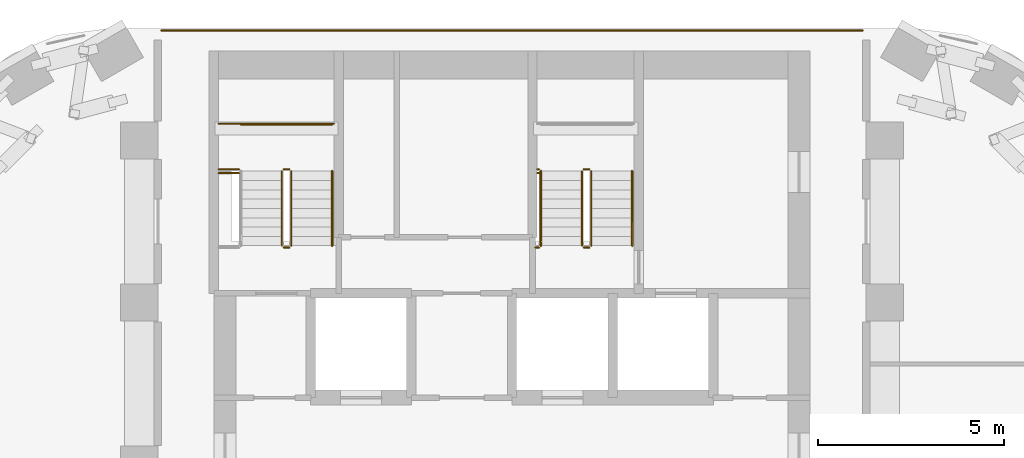
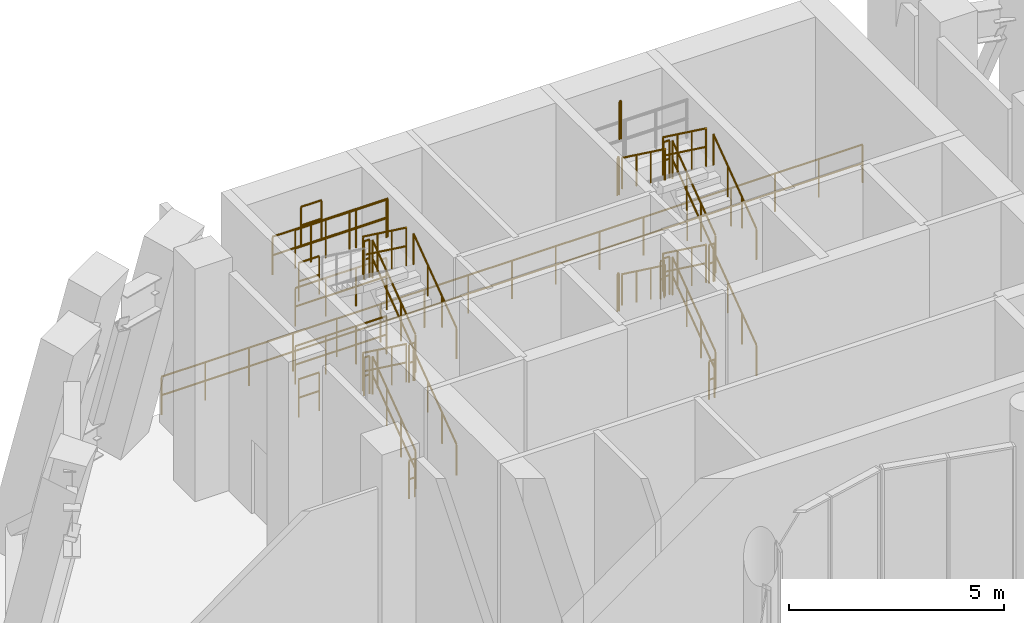
# One storey, part 18 of 19: 34 railings.
"""IFC4 building model written with IfcOpenShell, lengths in metres."""

from ifc_helpers import new_model, si_unit, direction, frame, origin, origin_2d, place, context, subcontext, project, spatial, circle, extrude, material, type_object, element, save


model = new_model("IFC4")

# Units and contexts
model_context = context("Model", 3, precision=1e-05, world=origin(), true_north=direction((0.0, 1.0)))
body_context = subcontext(model_context, "Body", "Model", "MODEL_VIEW")
ifc_project = project(units=[si_unit("LENGTHUNIT", "METRE"), si_unit("AREAUNIT", "SQUARE_METRE"), si_unit("VOLUMEUNIT", "CUBIC_METRE"), si_unit("PLANEANGLEUNIT", "RADIAN"), si_unit("MASSUNIT", "GRAM", prefix="KILO")], contexts=[model_context])

# Site, building, storey
site_placement = place(None, origin())
site = spatial("IfcSite", under=ifc_project, at=site_placement, CompositionType="ELEMENT")
building_placement = place(site_placement, origin())
building = spatial("IfcBuilding", under=site, at=building_placement, Name="Nakaniwa Court", CompositionType="ELEMENT")
storey_placement = place(building_placement, frame((0.0, 0.0, 170.10009765625)))
storey = spatial("IfcBuildingStorey", under=building, at=storey_placement, Name="S3", CompositionType="ELEMENT", Elevation=170.10009765625)

# Railings
ifc_material_1 = material(Name="Black powder-coated steel flat bar balustrade S275", Category="steel")
railing_type_1 = type_object("IfcRailingType", Name="Black metal terrace guard 1100", PredefinedType="GUARDRAIL", material=ifc_material_1)
railing_1_placement = place(storey_placement, frame((89.408203125, 103.949951171875, 0.0)))
element("IfcRailing", 1, at=railing_1_placement, inside=storey, type_object=railing_type_1, Name="S3 refuge band guard 08", PredefinedType="GUARDRAIL", context=body_context, shape_type="SweptSolid", body=[
    extrude(circle(Radius=0.02392578125, at=origin_2d()), frame((0.0, 0.0, 1.076171875), z_axis=(-1.0, 0.0, 0.0), x_axis=(0.0, -1.0, 0.0)), (0.0, 0.0, 1.0), 18.81640625),
    extrude(circle(Radius=0.02392578125, at=origin_2d()), frame((0.0, 0.0, 0.550048828125), z_axis=(-1.0, 0.0, 0.0), x_axis=(0.0, -1.0, 0.0)), (0.0, 0.0, 1.0), 18.81640625),
    extrude(circle(Radius=0.02099609375, at=origin_2d()), origin(), (0.0, 0.0, 1.0), 1.052001953125),
    extrude(circle(Radius=0.02099609375, at=origin_2d()), frame((-1.176025390625, 0.0, 0.0)), (0.0, 0.0, 1.0), 1.052001953125),
    extrude(circle(Radius=0.02099609375, at=origin_2d()), frame((-2.35205078125, 0.0, 0.0)), (0.0, 0.0, 1.0), 1.052001953125),
    extrude(circle(Radius=0.02099609375, at=origin_2d()), frame((-3.528076171875, 0.0, 0.0)), (0.0, 0.0, 1.0), 1.052001953125),
    extrude(circle(Radius=0.02099609375, at=origin_2d()), frame((-4.7041015625, 0.0, 0.0)), (0.0, 0.0, 1.0), 1.052001953125),
    extrude(circle(Radius=0.02099609375, at=origin_2d()), frame((-5.880126953125, 0.0, 0.0)), (0.0, 0.0, 1.0), 1.052001953125),
    extrude(circle(Radius=0.02099609375, at=origin_2d()), frame((-7.05615234375, 0.0, 0.0)), (0.0, 0.0, 1.0), 1.052001953125),
    extrude(circle(Radius=0.02099609375, at=origin_2d()), frame((-8.232177734375, 0.0, 0.0)), (0.0, 0.0, 1.0), 1.052001953125),
    extrude(circle(Radius=0.02099609375, at=origin_2d()), frame((-9.408203125, 0.0, 0.0)), (0.0, 0.0, 1.0), 1.052001953125),
    extrude(circle(Radius=0.02099609375, at=origin_2d()), frame((-10.584228515625, 0.0, 0.0)), (0.0, 0.0, 1.0), 1.052001953125),
    extrude(circle(Radius=0.02099609375, at=origin_2d()), frame((-11.76025390625, 0.0, 0.0)), (0.0, 0.0, 1.0), 1.052001953125),
    extrude(circle(Radius=0.02099609375, at=origin_2d()), frame((-12.936279296875, 0.0, 0.0)), (0.0, 0.0, 1.0), 1.052001953125),
    extrude(circle(Radius=0.02099609375, at=origin_2d()), frame((-14.1123046875, 0.0, 0.0)), (0.0, 0.0, 1.0), 1.052001953125),
    extrude(circle(Radius=0.02099609375, at=origin_2d()), frame((-15.288330078125, 0.0, 0.0)), (0.0, 0.0, 1.0), 1.052001953125),
    extrude(circle(Radius=0.02099609375, at=origin_2d()), frame((-16.46435546875, 0.0, 0.0)), (0.0, 0.0, 1.0), 1.052001953125),
    extrude(circle(Radius=0.02099609375, at=origin_2d()), frame((-17.640380859375, 0.0, 0.0)), (0.0, 0.0, 1.0), 1.052001953125),
    extrude(circle(Radius=0.02099609375, at=origin_2d()), frame((-18.81640625, 0.0, 0.0)), (0.0, 0.0, 1.0), 1.052001953125),
])
ifc_material_2 = material(Name="Black powder coated steel guard", Category="steel")
railing_type_2 = type_object("IfcRailingType", Name="Stair guard 1100", PredefinedType="GUARDRAIL", material=ifc_material_2)
railing_2_placement = place(storey_placement, frame((74.074951171875, 98.175048828125, 0.183349609375)))
element("IfcRailing", 2, at=railing_2_placement, inside=storey, type_object=railing_type_2, Name="S3 ST1 stair guard 1", PredefinedType="GUARDRAIL", context=body_context, shape_type="SweptSolid", body=[
    extrude(circle(Radius=0.02392578125, at=origin_2d()), frame((0.0, 0.0, 1.076171875), z_axis=(0.0, 0.806426902644, 0.591333789573), x_axis=(-1.0, 0.0, 0.0)), (0.0, 0.0, 1.0), 2.47998046875),
    extrude(circle(Radius=0.02392578125, at=origin_2d()), frame((0.0, 0.0, 0.550048828125), z_axis=(0.0, 0.806426902644, 0.591333789573), x_axis=(-1.0, 0.0, 0.0)), (0.0, 0.0, 1.0), 2.47998046875),
    extrude(circle(Radius=0.02099609375, at=origin_2d()), origin(), (0.0, 0.0, 1.0), 1.052001953125),
    extrude(circle(Radius=0.02099609375, at=origin_2d()), frame((0.0, 0.666748046875, 0.48876953125)), (0.0, 0.0, 1.0), 1.052001953125),
    extrude(circle(Radius=0.02099609375, at=origin_2d()), frame((0.0, 1.333251953125, 0.977783203125)), (0.0, 0.0, 1.0), 1.052001953125),
    extrude(circle(Radius=0.02099609375, at=origin_2d()), frame((0.0, 2.0, 1.466552734375)), (0.0, 0.0, 1.0), 1.052001953125),
])
railing_3_placement = place(storey_placement, frame((74.02490234375, 100.22509765625, 1.64990234375)))
element("IfcRailing", 3, at=railing_3_placement, inside=storey, type_object=railing_type_2, Name="S3 ST1 stair guard 2", PredefinedType="GUARDRAIL", context=body_context, shape_type="SweptSolid", body=[
    extrude(circle(Radius=0.02392578125, at=origin_2d()), frame((0.0, 0.0, 1.076171875), z_axis=(-1.0, 0.0, 0.0), x_axis=(0.0, -1.0, 0.0)), (0.0, 0.0, 1.0), 0.14990234375),
    extrude(circle(Radius=0.02392578125, at=origin_2d()), frame((0.0, 0.0, 0.550048828125), z_axis=(-1.0, 0.0, 0.0), x_axis=(0.0, -1.0, 0.0)), (0.0, 0.0, 1.0), 0.14990234375),
    extrude(circle(Radius=0.02099609375, at=origin_2d()), origin(), (0.0, 0.0, 1.0), 1.052001953125),
    extrude(circle(Radius=0.02099609375, at=origin_2d()), frame((-0.14990234375, 0.0, 0.0)), (0.0, 0.0, 1.0), 1.052001953125),
])
railing_4_placement = place(storey_placement, frame((73.824951171875, 100.175048828125, 1.833251953125)))
element("IfcRailing", 4, at=railing_4_placement, inside=storey, type_object=railing_type_2, Name="S3 ST1 stair guard 3", PredefinedType="GUARDRAIL", context=body_context, shape_type="SweptSolid", body=[
    extrude(circle(Radius=0.02392578125, at=origin_2d()), frame((0.0, 0.0, 1.076171875), z_axis=(0.0, -0.806426902644, 0.591333789573), x_axis=(1.0, 0.0, 0.0)), (0.0, 0.0, 1.0), 2.47998046875),
    extrude(circle(Radius=0.02392578125, at=origin_2d()), frame((0.0, 0.0, 0.550048828125), z_axis=(0.0, -0.806426902644, 0.591333789573), x_axis=(1.0, 0.0, 0.0)), (0.0, 0.0, 1.0), 2.47998046875),
    extrude(circle(Radius=0.02099609375, at=origin_2d()), origin(), (0.0, 0.0, 1.0), 1.052001953125),
    extrude(circle(Radius=0.02099609375, at=origin_2d()), frame((0.0, -0.666748046875, 0.48876953125)), (0.0, 0.0, 1.0), 1.052001953125),
    extrude(circle(Radius=0.02099609375, at=origin_2d()), frame((0.0, -1.333251953125, 0.977783203125)), (0.0, 0.0, 1.0), 1.052001953125),
    extrude(circle(Radius=0.02099609375, at=origin_2d()), frame((0.0, -2.0, 1.466552734375)), (0.0, 0.0, 1.0), 1.052001953125),
])
railing_5_placement = place(storey_placement, frame((74.02490234375, 98.125, 3.2998046875)))
element("IfcRailing", 5, at=railing_5_placement, inside=storey, type_object=railing_type_2, Name="S3 ST1 stair guard 4", PredefinedType="GUARDRAIL", context=body_context, shape_type="SweptSolid", body=[
    extrude(circle(Radius=0.02392578125, at=origin_2d()), frame((0.0, 0.0, 1.076171875), z_axis=(-1.0, 0.0, 0.0), x_axis=(0.0, -1.0, 0.0)), (0.0, 0.0, 1.0), 0.14990234375),
    extrude(circle(Radius=0.02392578125, at=origin_2d()), frame((0.0, 0.0, 0.550048828125), z_axis=(-1.0, 0.0, 0.0), x_axis=(0.0, -1.0, 0.0)), (0.0, 0.0, 1.0), 0.14990234375),
    extrude(circle(Radius=0.02099609375, at=origin_2d()), origin(), (0.0, 0.0, 1.0), 1.052001953125),
    extrude(circle(Radius=0.02099609375, at=origin_2d()), frame((-0.14990234375, 0.0, 0.0)), (0.0, 0.0, 1.0), 1.052001953125),
])
railing_6_placement = place(storey_placement, frame((74.074951171875, 98.175048828125, 3.483154296875)))
element("IfcRailing", 6, at=railing_6_placement, inside=storey, type_object=railing_type_2, Name="S3 ST1 stair guard 5", PredefinedType="GUARDRAIL", context=body_context, shape_type="SweptSolid", body=[
    extrude(circle(Radius=0.02392578125, at=origin_2d()), frame((0.0, 0.0, 1.076171875), z_axis=(0.0, 0.806379959628, 0.591397802423), x_axis=(-1.0, 0.0, 0.0)), (0.0, 0.0, 1.0), 2.480224609375),
    extrude(circle(Radius=0.02392578125, at=origin_2d()), frame((0.0, 0.0, 0.550048828125), z_axis=(0.0, 0.806379959628, 0.591397802423), x_axis=(-1.0, 0.0, 0.0)), (0.0, 0.0, 1.0), 2.480224609375),
    extrude(circle(Radius=0.02099609375, at=origin_2d()), origin(), (0.0, 0.0, 1.0), 1.052001953125),
    extrude(circle(Radius=0.02099609375, at=origin_2d()), frame((0.0, 0.666748046875, 0.489013671875)), (0.0, 0.0, 1.0), 1.052001953125),
    extrude(circle(Radius=0.02099609375, at=origin_2d()), frame((0.0, 1.333251953125, 0.977783203125)), (0.0, 0.0, 1.0), 1.052001953125),
    extrude(circle(Radius=0.02099609375, at=origin_2d()), frame((0.0, 2.0, 1.466796875)), (0.0, 0.0, 1.0), 1.052001953125),
])
railing_7_placement = place(storey_placement, frame((74.02490234375, 100.22509765625, 4.949951171875)))
element("IfcRailing", 7, at=railing_7_placement, inside=storey, type_object=railing_type_2, Name="S3 ST1 stair guard 6", PredefinedType="GUARDRAIL", context=body_context, shape_type="SweptSolid", body=[
    extrude(circle(Radius=0.02392578125, at=origin_2d()), frame((0.0, 0.0, 1.076171875), z_axis=(-1.0, 0.0, 0.0), x_axis=(0.0, -1.0, 0.0)), (0.0, 0.0, 1.0), 0.14990234375),
    extrude(circle(Radius=0.02392578125, at=origin_2d()), frame((0.0, 0.0, 0.550048828125), z_axis=(-1.0, 0.0, 0.0), x_axis=(0.0, -1.0, 0.0)), (0.0, 0.0, 1.0), 0.14990234375),
    extrude(circle(Radius=0.02099609375, at=origin_2d()), origin(), (0.0, 0.0, 1.0), 1.052001953125),
    extrude(circle(Radius=0.02099609375, at=origin_2d()), frame((-0.14990234375, 0.0, 0.0)), (0.0, 0.0, 1.0), 1.052001953125),
])
railing_8_placement = place(storey_placement, frame((73.824951171875, 100.175048828125, 5.13330078125)))
element("IfcRailing", 8, at=railing_8_placement, inside=storey, type_object=railing_type_2, Name="S3 ST1 stair guard 7", PredefinedType="GUARDRAIL", context=body_context, shape_type="SweptSolid", body=[
    extrude(circle(Radius=0.02392578125, at=origin_2d()), frame((0.0, 0.0, 1.076171875), z_axis=(0.0, -0.806426902644, 0.591333789573), x_axis=(1.0, 0.0, 0.0)), (0.0, 0.0, 1.0), 2.47998046875),
    extrude(circle(Radius=0.02392578125, at=origin_2d()), frame((0.0, 0.0, 0.550048828125), z_axis=(0.0, -0.806426902644, 0.591333789573), x_axis=(1.0, 0.0, 0.0)), (0.0, 0.0, 1.0), 2.47998046875),
    extrude(circle(Radius=0.02099609375, at=origin_2d()), origin(), (0.0, 0.0, 1.0), 1.052001953125),
    extrude(circle(Radius=0.02099609375, at=origin_2d()), frame((0.0, -0.666748046875, 0.48876953125)), (0.0, 0.0, 1.0), 1.052001953125),
    extrude(circle(Radius=0.02099609375, at=origin_2d()), frame((0.0, -1.333251953125, 0.977783203125)), (0.0, 0.0, 1.0), 1.052001953125),
    extrude(circle(Radius=0.02099609375, at=origin_2d()), frame((0.0, -2.0, 1.466552734375)), (0.0, 0.0, 1.0), 1.052001953125),
])
railing_9_placement = place(storey_placement, frame((74.02490234375, 98.125, 0.0)))
element("IfcRailing", 9, at=railing_9_placement, inside=storey, type_object=railing_type_2, Name="S3 ST1 stair guard 8", PredefinedType="GUARDRAIL", context=body_context, shape_type="SweptSolid", body=[
    extrude(circle(Radius=0.02392578125, at=origin_2d()), frame((0.0, 0.0, 1.076171875), z_axis=(-1.0, 0.0, 0.0), x_axis=(0.0, -1.0, 0.0)), (0.0, 0.0, 1.0), 0.14990234375),
    extrude(circle(Radius=0.02392578125, at=origin_2d()), frame((0.0, 0.0, 0.550048828125), z_axis=(-1.0, 0.0, 0.0), x_axis=(0.0, -1.0, 0.0)), (0.0, 0.0, 1.0), 0.14990234375),
    extrude(circle(Radius=0.02099609375, at=origin_2d()), origin(), (0.0, 0.0, 1.0), 1.052001953125),
    extrude(circle(Radius=0.02099609375, at=origin_2d()), frame((-0.14990234375, 0.0, 0.0)), (0.0, 0.0, 1.0), 1.052001953125),
])
railing_10_placement = place(storey_placement, frame((72.125, 100.22509765625, 1.64990234375)))
element("IfcRailing", 10, at=railing_10_placement, inside=storey, type_object=railing_type_2, Name="S3 ST1 landing side guard 1W", PredefinedType="GUARDRAIL", context=body_context, shape_type="SweptSolid", body=[
    extrude(circle(Radius=0.02392578125, at=origin_2d()), frame((0.0, 0.0, 1.076171875), z_axis=(1.0, 0.0, 0.0), x_axis=(0.0, 1.0, 0.0)), (0.0, 0.0, 1.0), 0.550048828125),
    extrude(circle(Radius=0.02392578125, at=origin_2d()), frame((0.0, 0.0, 0.550048828125), z_axis=(1.0, 0.0, 0.0), x_axis=(0.0, 1.0, 0.0)), (0.0, 0.0, 1.0), 0.550048828125),
    extrude(circle(Radius=0.02099609375, at=origin_2d()), origin(), (0.0, 0.0, 1.0), 1.052001953125),
    extrude(circle(Radius=0.02099609375, at=origin_2d()), frame((0.550048828125, 0.0, 0.0)), (0.0, 0.0, 1.0), 1.052001953125),
])
railing_11_placement = place(storey_placement, frame((72.125, 101.449951171875, 4.949951171875)))
element("IfcRailing", 11, at=railing_11_placement, inside=storey, type_object=railing_type_2, Name="S3 ST1 landing end guard 3", PredefinedType="GUARDRAIL", context=body_context, shape_type="SweptSolid", body=[
    extrude(circle(Radius=0.02392578125, at=origin_2d()), frame((0.0, 0.0, 1.076171875), z_axis=(1.0, 0.0, 0.0), x_axis=(0.0, 1.0, 0.0)), (0.0, 0.0, 1.0), 3.10009765625),
    extrude(circle(Radius=0.02392578125, at=origin_2d()), frame((0.0, 0.0, 0.550048828125), z_axis=(1.0, 0.0, 0.0), x_axis=(0.0, 1.0, 0.0)), (0.0, 0.0, 1.0), 3.10009765625),
    extrude(circle(Radius=0.02099609375, at=origin_2d()), origin(), (0.0, 0.0, 1.0), 1.052001953125),
    extrude(circle(Radius=0.02099609375, at=origin_2d()), frame((1.033447265625, 0.0, 0.0)), (0.0, 0.0, 1.0), 1.052001953125),
    extrude(circle(Radius=0.02099609375, at=origin_2d()), frame((2.066650390625, 0.0, 0.0)), (0.0, 0.0, 1.0), 1.052001953125),
    extrude(circle(Radius=0.02099609375, at=origin_2d()), frame((3.10009765625, 0.0, 0.0)), (0.0, 0.0, 1.0), 1.052001953125),
])
for number, where, name in (
    (12, (72.125, 100.22509765625, 4.949951171875), "S3 ST1 landing side guard 3W"),
    (13, (72.125, 100.125, 6.599853515625), "S3 ST1 floor edge guard 3W"),
):
    element("IfcRailing", number, at=place(storey_placement, frame(where)), inside=storey, type_object=railing_type_2, Name=name, PredefinedType="GUARDRAIL", context=body_context, shape_type="SweptSolid", body=[
        extrude(circle(Radius=0.02392578125, at=origin_2d()), frame((0.0, 0.0, 1.076171875), z_axis=(1.0, 0.0, 0.0), x_axis=(0.0, 1.0, 0.0)), (0.0, 0.0, 1.0), 0.550048828125),
        extrude(circle(Radius=0.02392578125, at=origin_2d()), frame((0.0, 0.0, 0.550048828125), z_axis=(1.0, 0.0, 0.0), x_axis=(0.0, 1.0, 0.0)), (0.0, 0.0, 1.0), 0.550048828125),
        extrude(circle(Radius=0.02099609375, at=origin_2d()), origin(), (0.0, 0.0, 1.0), 1.052001953125),
        extrude(circle(Radius=0.02099609375, at=origin_2d()), frame((0.550048828125, 0.0, 0.0)), (0.0, 0.0, 1.0), 1.052001953125),
    ])
for number, where, name in (
    (14, (75.175048828125, 101.425048828125, 1.64990234375), "S3 ST1 stair far guard 1"),
    (15, (75.175048828125, 101.425048828125, 3.2998046875), "S3 ST1 stair far guard 2"),
    (16, (75.175048828125, 101.425048828125, 4.949951171875), "S3 ST1 stair far guard 3"),
):
    element("IfcRailing", number, at=place(storey_placement, frame(where)), inside=storey, type_object=railing_type_2, Name=name, PredefinedType="GUARDRAIL", context=body_context, shape_type="SweptSolid", body=[
        extrude(circle(Radius=0.02392578125, at=origin_2d()), frame((0.0, 0.0, 1.076171875), z_axis=(-1.0, 0.0, 0.0), x_axis=(0.0, -1.0, 0.0)), (0.0, 0.0, 1.0), 2.449951171875),
        extrude(circle(Radius=0.02392578125, at=origin_2d()), frame((0.0, 0.0, 0.550048828125), z_axis=(-1.0, 0.0, 0.0), x_axis=(0.0, -1.0, 0.0)), (0.0, 0.0, 1.0), 2.449951171875),
        extrude(circle(Radius=0.02099609375, at=origin_2d()), origin(), (0.0, 0.0, 1.0), 1.052001953125),
        extrude(circle(Radius=0.02099609375, at=origin_2d()), frame((-0.816650390625, 0.0, 0.0)), (0.0, 0.0, 1.0), 1.052001953125),
        extrude(circle(Radius=0.02099609375, at=origin_2d()), frame((-1.63330078125, 0.0, 0.0)), (0.0, 0.0, 1.0), 1.052001953125),
        extrude(circle(Radius=0.02099609375, at=origin_2d()), frame((-2.449951171875, 0.0, 0.0)), (0.0, 0.0, 1.0), 1.052001953125),
    ])
railing_12_placement = place(storey_placement, frame((82.125, 98.175048828125, 0.183349609375)))
element("IfcRailing", 17, at=railing_12_placement, inside=storey, type_object=railing_type_2, Name="S3 ST2 stair guard 1", PredefinedType="GUARDRAIL", context=body_context, shape_type="SweptSolid", body=[
    extrude(circle(Radius=0.02392578125, at=origin_2d()), frame((0.0, 0.0, 1.076171875), z_axis=(0.0, 0.806426902644, 0.591333789573), x_axis=(-1.0, 0.0, 0.0)), (0.0, 0.0, 1.0), 2.47998046875),
    extrude(circle(Radius=0.02392578125, at=origin_2d()), frame((0.0, 0.0, 0.550048828125), z_axis=(0.0, 0.806426902644, 0.591333789573), x_axis=(-1.0, 0.0, 0.0)), (0.0, 0.0, 1.0), 2.47998046875),
    extrude(circle(Radius=0.02099609375, at=origin_2d()), origin(), (0.0, 0.0, 1.0), 1.052001953125),
    extrude(circle(Radius=0.02099609375, at=origin_2d()), frame((0.0, 0.666748046875, 0.48876953125)), (0.0, 0.0, 1.0), 1.052001953125),
    extrude(circle(Radius=0.02099609375, at=origin_2d()), frame((0.0, 1.333251953125, 0.977783203125)), (0.0, 0.0, 1.0), 1.052001953125),
    extrude(circle(Radius=0.02099609375, at=origin_2d()), frame((0.0, 2.0, 1.466552734375)), (0.0, 0.0, 1.0), 1.052001953125),
])
railing_13_placement = place(storey_placement, frame((82.074951171875, 100.22509765625, 1.64990234375)))
element("IfcRailing", 18, at=railing_13_placement, inside=storey, type_object=railing_type_2, Name="S3 ST2 stair guard 2", PredefinedType="GUARDRAIL", context=body_context, shape_type="SweptSolid", body=[
    extrude(circle(Radius=0.02392578125, at=origin_2d()), frame((0.0, 0.0, 1.076171875), z_axis=(-1.0, 0.0, 0.0), x_axis=(0.0, -1.0, 0.0)), (0.0, 0.0, 1.0), 0.14990234375),
    extrude(circle(Radius=0.02392578125, at=origin_2d()), frame((0.0, 0.0, 0.550048828125), z_axis=(-1.0, 0.0, 0.0), x_axis=(0.0, -1.0, 0.0)), (0.0, 0.0, 1.0), 0.14990234375),
    extrude(circle(Radius=0.02099609375, at=origin_2d()), origin(), (0.0, 0.0, 1.0), 1.052001953125),
    extrude(circle(Radius=0.02099609375, at=origin_2d()), frame((-0.14990234375, 0.0, 0.0)), (0.0, 0.0, 1.0), 1.052001953125),
])
railing_14_placement = place(storey_placement, frame((81.875, 100.175048828125, 1.833251953125)))
element("IfcRailing", 19, at=railing_14_placement, inside=storey, type_object=railing_type_2, Name="S3 ST2 stair guard 3", PredefinedType="GUARDRAIL", context=body_context, shape_type="SweptSolid", body=[
    extrude(circle(Radius=0.02392578125, at=origin_2d()), frame((0.0, 0.0, 1.076171875), z_axis=(0.0, -0.806426902644, 0.591333789573), x_axis=(1.0, 0.0, 0.0)), (0.0, 0.0, 1.0), 2.47998046875),
    extrude(circle(Radius=0.02392578125, at=origin_2d()), frame((0.0, 0.0, 0.550048828125), z_axis=(0.0, -0.806426902644, 0.591333789573), x_axis=(1.0, 0.0, 0.0)), (0.0, 0.0, 1.0), 2.47998046875),
    extrude(circle(Radius=0.02099609375, at=origin_2d()), origin(), (0.0, 0.0, 1.0), 1.052001953125),
    extrude(circle(Radius=0.02099609375, at=origin_2d()), frame((0.0, -0.666748046875, 0.48876953125)), (0.0, 0.0, 1.0), 1.052001953125),
    extrude(circle(Radius=0.02099609375, at=origin_2d()), frame((0.0, -1.333251953125, 0.977783203125)), (0.0, 0.0, 1.0), 1.052001953125),
    extrude(circle(Radius=0.02099609375, at=origin_2d()), frame((0.0, -2.0, 1.466552734375)), (0.0, 0.0, 1.0), 1.052001953125),
])
railing_15_placement = place(storey_placement, frame((82.074951171875, 98.125, 3.2998046875)))
element("IfcRailing", 20, at=railing_15_placement, inside=storey, type_object=railing_type_2, Name="S3 ST2 stair guard 4", PredefinedType="GUARDRAIL", context=body_context, shape_type="SweptSolid", body=[
    extrude(circle(Radius=0.02392578125, at=origin_2d()), frame((0.0, 0.0, 1.076171875), z_axis=(-1.0, 0.0, 0.0), x_axis=(0.0, -1.0, 0.0)), (0.0, 0.0, 1.0), 0.14990234375),
    extrude(circle(Radius=0.02392578125, at=origin_2d()), frame((0.0, 0.0, 0.550048828125), z_axis=(-1.0, 0.0, 0.0), x_axis=(0.0, -1.0, 0.0)), (0.0, 0.0, 1.0), 0.14990234375),
    extrude(circle(Radius=0.02099609375, at=origin_2d()), origin(), (0.0, 0.0, 1.0), 1.052001953125),
    extrude(circle(Radius=0.02099609375, at=origin_2d()), frame((-0.14990234375, 0.0, 0.0)), (0.0, 0.0, 1.0), 1.052001953125),
])
railing_16_placement = place(storey_placement, frame((82.125, 98.175048828125, 3.483154296875)))
element("IfcRailing", 21, at=railing_16_placement, inside=storey, type_object=railing_type_2, Name="S3 ST2 stair guard 5", PredefinedType="GUARDRAIL", context=body_context, shape_type="SweptSolid", body=[
    extrude(circle(Radius=0.02392578125, at=origin_2d()), frame((0.0, 0.0, 1.076171875), z_axis=(0.0, 0.806379959628, 0.591397802423), x_axis=(-1.0, 0.0, 0.0)), (0.0, 0.0, 1.0), 2.480224609375),
    extrude(circle(Radius=0.02392578125, at=origin_2d()), frame((0.0, 0.0, 0.550048828125), z_axis=(0.0, 0.806379959628, 0.591397802423), x_axis=(-1.0, 0.0, 0.0)), (0.0, 0.0, 1.0), 2.480224609375),
    extrude(circle(Radius=0.02099609375, at=origin_2d()), origin(), (0.0, 0.0, 1.0), 1.052001953125),
    extrude(circle(Radius=0.02099609375, at=origin_2d()), frame((0.0, 0.666748046875, 0.489013671875)), (0.0, 0.0, 1.0), 1.052001953125),
    extrude(circle(Radius=0.02099609375, at=origin_2d()), frame((0.0, 1.333251953125, 0.977783203125)), (0.0, 0.0, 1.0), 1.052001953125),
    extrude(circle(Radius=0.02099609375, at=origin_2d()), frame((0.0, 2.0, 1.466796875)), (0.0, 0.0, 1.0), 1.052001953125),
])
railing_17_placement = place(storey_placement, frame((82.074951171875, 100.22509765625, 4.949951171875)))
element("IfcRailing", 22, at=railing_17_placement, inside=storey, type_object=railing_type_2, Name="S3 ST2 stair guard 6", PredefinedType="GUARDRAIL", context=body_context, shape_type="SweptSolid", body=[
    extrude(circle(Radius=0.02392578125, at=origin_2d()), frame((0.0, 0.0, 1.076171875), z_axis=(-1.0, 0.0, 0.0), x_axis=(0.0, -1.0, 0.0)), (0.0, 0.0, 1.0), 0.14990234375),
    extrude(circle(Radius=0.02392578125, at=origin_2d()), frame((0.0, 0.0, 0.550048828125), z_axis=(-1.0, 0.0, 0.0), x_axis=(0.0, -1.0, 0.0)), (0.0, 0.0, 1.0), 0.14990234375),
    extrude(circle(Radius=0.02099609375, at=origin_2d()), origin(), (0.0, 0.0, 1.0), 1.052001953125),
    extrude(circle(Radius=0.02099609375, at=origin_2d()), frame((-0.14990234375, 0.0, 0.0)), (0.0, 0.0, 1.0), 1.052001953125),
])
railing_18_placement = place(storey_placement, frame((81.875, 100.175048828125, 5.13330078125)))
element("IfcRailing", 23, at=railing_18_placement, inside=storey, type_object=railing_type_2, Name="S3 ST2 stair guard 7", PredefinedType="GUARDRAIL", context=body_context, shape_type="SweptSolid", body=[
    extrude(circle(Radius=0.02392578125, at=origin_2d()), frame((0.0, 0.0, 1.076171875), z_axis=(0.0, -0.806426902644, 0.591333789573), x_axis=(1.0, 0.0, 0.0)), (0.0, 0.0, 1.0), 2.47998046875),
    extrude(circle(Radius=0.02392578125, at=origin_2d()), frame((0.0, 0.0, 0.550048828125), z_axis=(0.0, -0.806426902644, 0.591333789573), x_axis=(1.0, 0.0, 0.0)), (0.0, 0.0, 1.0), 2.47998046875),
    extrude(circle(Radius=0.02099609375, at=origin_2d()), origin(), (0.0, 0.0, 1.0), 1.052001953125),
    extrude(circle(Radius=0.02099609375, at=origin_2d()), frame((0.0, -0.666748046875, 0.48876953125)), (0.0, 0.0, 1.0), 1.052001953125),
    extrude(circle(Radius=0.02099609375, at=origin_2d()), frame((0.0, -1.333251953125, 0.977783203125)), (0.0, 0.0, 1.0), 1.052001953125),
    extrude(circle(Radius=0.02099609375, at=origin_2d()), frame((0.0, -2.0, 1.466552734375)), (0.0, 0.0, 1.0), 1.052001953125),
])
railing_19_placement = place(storey_placement, frame((82.074951171875, 98.125, 0.0)))
element("IfcRailing", 24, at=railing_19_placement, inside=storey, type_object=railing_type_2, Name="S3 ST2 stair guard 8", PredefinedType="GUARDRAIL", context=body_context, shape_type="SweptSolid", body=[
    extrude(circle(Radius=0.02392578125, at=origin_2d()), frame((0.0, 0.0, 1.076171875), z_axis=(-1.0, 0.0, 0.0), x_axis=(0.0, -1.0, 0.0)), (0.0, 0.0, 1.0), 0.14990234375),
    extrude(circle(Radius=0.02392578125, at=origin_2d()), frame((0.0, 0.0, 0.550048828125), z_axis=(-1.0, 0.0, 0.0), x_axis=(0.0, -1.0, 0.0)), (0.0, 0.0, 1.0), 0.14990234375),
    extrude(circle(Radius=0.02099609375, at=origin_2d()), origin(), (0.0, 0.0, 1.0), 1.052001953125),
    extrude(circle(Radius=0.02099609375, at=origin_2d()), frame((-0.14990234375, 0.0, 0.0)), (0.0, 0.0, 1.0), 1.052001953125),
])
railing_20_placement = place(storey_placement, frame((80.675048828125, 100.22509765625, 1.64990234375)))
element("IfcRailing", 25, at=railing_20_placement, inside=storey, type_object=railing_type_2, Name="S3 ST2 landing side guard 1W", PredefinedType="GUARDRAIL", context=body_context, shape_type="SweptSolid", body=[
    extrude(circle(Radius=0.02392578125, at=origin_2d()), frame((0.0, 0.0, 1.076171875), z_axis=(1.0, 0.0, 0.0), x_axis=(0.0, 1.0, 0.0)), (0.0, 0.0, 1.0), 0.050048828125),
    extrude(circle(Radius=0.02392578125, at=origin_2d()), frame((0.0, 0.0, 0.550048828125), z_axis=(1.0, 0.0, 0.0), x_axis=(0.0, 1.0, 0.0)), (0.0, 0.0, 1.0), 0.050048828125),
    extrude(circle(Radius=0.02099609375, at=origin_2d()), origin(), (0.0, 0.0, 1.0), 1.052001953125),
    extrude(circle(Radius=0.02099609375, at=origin_2d()), frame((0.050048828125, 0.0, 0.0)), (0.0, 0.0, 1.0), 1.052001953125),
])
railing_21_placement = place(storey_placement, frame((80.625, 98.125, 3.2998046875)))
element("IfcRailing", 26, at=railing_21_placement, inside=storey, type_object=railing_type_2, Name="S3 ST2 landing side guard 2W", PredefinedType="GUARDRAIL", context=body_context, shape_type="SweptSolid", body=[
    extrude(circle(Radius=0.02392578125, at=origin_2d()), frame((0.0, 0.0, 1.076171875), z_axis=(1.0, 0.0, 0.0), x_axis=(0.0, 1.0, 0.0)), (0.0, 0.0, 1.0), 0.10009765625),
    extrude(circle(Radius=0.02392578125, at=origin_2d()), frame((0.0, 0.0, 0.550048828125), z_axis=(1.0, 0.0, 0.0), x_axis=(0.0, 1.0, 0.0)), (0.0, 0.0, 1.0), 0.10009765625),
    extrude(circle(Radius=0.02099609375, at=origin_2d()), origin(), (0.0, 0.0, 1.0), 1.052001953125),
    extrude(circle(Radius=0.02099609375, at=origin_2d()), frame((0.10009765625, 0.0, 0.0)), (0.0, 0.0, 1.0), 1.052001953125),
])
for number, where, name in (
    (27, (80.675048828125, 100.22509765625, 4.949951171875), "S3 ST2 landing side guard 3W"),
    (28, (80.675048828125, 100.125, 6.599853515625), "S3 ST2 floor edge guard 3W"),
):
    element("IfcRailing", number, at=place(storey_placement, frame(where)), inside=storey, type_object=railing_type_2, Name=name, PredefinedType="GUARDRAIL", context=body_context, shape_type="SweptSolid", body=[
        extrude(circle(Radius=0.02392578125, at=origin_2d()), frame((0.0, 0.0, 1.076171875), z_axis=(1.0, 0.0, 0.0), x_axis=(0.0, 1.0, 0.0)), (0.0, 0.0, 1.0), 0.050048828125),
        extrude(circle(Radius=0.02392578125, at=origin_2d()), frame((0.0, 0.0, 0.550048828125), z_axis=(1.0, 0.0, 0.0), x_axis=(0.0, 1.0, 0.0)), (0.0, 0.0, 1.0), 0.050048828125),
        extrude(circle(Radius=0.02099609375, at=origin_2d()), origin(), (0.0, 0.0, 1.0), 1.052001953125),
        extrude(circle(Radius=0.02099609375, at=origin_2d()), frame((0.050048828125, 0.0, 0.0)), (0.0, 0.0, 1.0), 1.052001953125),
    ])
ifc_material_3 = material(Name="Black powder coated steel handrail", Category="steel")
railing_type_3 = type_object("IfcRailingType", Name="Stair handrail 900", PredefinedType="HANDRAIL", material=ifc_material_3)
railing_22_placement = place(storey_placement, frame((75.175048828125, 98.175048828125, 0.183349609375)))
element("IfcRailing", 29, at=railing_22_placement, inside=storey, type_object=railing_type_3, Name="S3 ST1 stair handrail 1", PredefinedType="HANDRAIL", context=body_context, shape_type="SweptSolid", body=[
    extrude(circle(Radius=0.02392578125, at=origin_2d()), frame((0.0, 0.0, 0.8759765625), z_axis=(0.0, 0.806426902644, 0.591333789573), x_axis=(-1.0, 0.0, 0.0)), (0.0, 0.0, 1.0), 2.47998046875),
    extrude(circle(Radius=0.02099609375, at=origin_2d()), origin(), (0.0, 0.0, 1.0), 0.851806640625),
    extrude(circle(Radius=0.02099609375, at=origin_2d()), frame((0.0, 0.666748046875, 0.48876953125)), (0.0, 0.0, 1.0), 0.851806640625),
    extrude(circle(Radius=0.02099609375, at=origin_2d()), frame((0.0, 1.333251953125, 0.977783203125)), (0.0, 0.0, 1.0), 0.851806640625),
    extrude(circle(Radius=0.02099609375, at=origin_2d()), frame((0.0, 2.0, 1.466552734375)), (0.0, 0.0, 1.0), 0.851806640625),
])
railing_23_placement = place(storey_placement, frame((75.175048828125, 98.175048828125, 3.483154296875)))
element("IfcRailing", 30, at=railing_23_placement, inside=storey, type_object=railing_type_3, Name="S3 ST1 stair handrail 3", PredefinedType="HANDRAIL", context=body_context, shape_type="SweptSolid", body=[
    extrude(circle(Radius=0.02392578125, at=origin_2d()), frame((0.0, 0.0, 0.8759765625), z_axis=(0.0, 0.806379959628, 0.591397802423), x_axis=(-1.0, 0.0, 0.0)), (0.0, 0.0, 1.0), 2.480224609375),
    extrude(circle(Radius=0.02099609375, at=origin_2d()), origin(), (0.0, 0.0, 1.0), 0.851806640625),
    extrude(circle(Radius=0.02099609375, at=origin_2d()), frame((0.0, 0.666748046875, 0.489013671875)), (0.0, 0.0, 1.0), 0.851806640625),
    extrude(circle(Radius=0.02099609375, at=origin_2d()), frame((0.0, 1.333251953125, 0.977783203125)), (0.0, 0.0, 1.0), 0.851806640625),
    extrude(circle(Radius=0.02099609375, at=origin_2d()), frame((0.0, 2.0, 1.466796875)), (0.0, 0.0, 1.0), 0.851806640625),
])
railing_24_placement = place(storey_placement, frame((83.22509765625, 98.175048828125, 0.183349609375)))
element("IfcRailing", 31, at=railing_24_placement, inside=storey, type_object=railing_type_3, Name="S3 ST2 stair handrail 1", PredefinedType="HANDRAIL", context=body_context, shape_type="SweptSolid", body=[
    extrude(circle(Radius=0.02392578125, at=origin_2d()), frame((0.0, 0.0, 0.8759765625), z_axis=(0.0, 0.806426902644, 0.591333789573), x_axis=(-1.0, 0.0, 0.0)), (0.0, 0.0, 1.0), 2.47998046875),
    extrude(circle(Radius=0.02099609375, at=origin_2d()), origin(), (0.0, 0.0, 1.0), 0.851806640625),
    extrude(circle(Radius=0.02099609375, at=origin_2d()), frame((0.0, 0.666748046875, 0.48876953125)), (0.0, 0.0, 1.0), 0.851806640625),
    extrude(circle(Radius=0.02099609375, at=origin_2d()), frame((0.0, 1.333251953125, 0.977783203125)), (0.0, 0.0, 1.0), 0.851806640625),
    extrude(circle(Radius=0.02099609375, at=origin_2d()), frame((0.0, 2.0, 1.466552734375)), (0.0, 0.0, 1.0), 0.851806640625),
])
railing_25_placement = place(storey_placement, frame((80.77490234375, 100.175048828125, 1.833251953125)))
element("IfcRailing", 32, at=railing_25_placement, inside=storey, type_object=railing_type_3, Name="S3 ST2 stair handrail 2", PredefinedType="HANDRAIL", context=body_context, shape_type="SweptSolid", body=[
    extrude(circle(Radius=0.02392578125, at=origin_2d()), frame((0.0, 0.0, 0.8759765625), z_axis=(0.0, -0.806426902644, 0.591333789573), x_axis=(1.0, 0.0, 0.0)), (0.0, 0.0, 1.0), 2.47998046875),
    extrude(circle(Radius=0.02099609375, at=origin_2d()), origin(), (0.0, 0.0, 1.0), 0.851806640625),
    extrude(circle(Radius=0.02099609375, at=origin_2d()), frame((0.0, -0.666748046875, 0.48876953125)), (0.0, 0.0, 1.0), 0.851806640625),
    extrude(circle(Radius=0.02099609375, at=origin_2d()), frame((0.0, -1.333251953125, 0.977783203125)), (0.0, 0.0, 1.0), 0.851806640625),
    extrude(circle(Radius=0.02099609375, at=origin_2d()), frame((0.0, -2.0, 1.466552734375)), (0.0, 0.0, 1.0), 0.851806640625),
])
railing_26_placement = place(storey_placement, frame((83.22509765625, 98.175048828125, 3.483154296875)))
element("IfcRailing", 33, at=railing_26_placement, inside=storey, type_object=railing_type_3, Name="S3 ST2 stair handrail 3", PredefinedType="HANDRAIL", context=body_context, shape_type="SweptSolid", body=[
    extrude(circle(Radius=0.02392578125, at=origin_2d()), frame((0.0, 0.0, 0.8759765625), z_axis=(0.0, 0.806379959628, 0.591397802423), x_axis=(-1.0, 0.0, 0.0)), (0.0, 0.0, 1.0), 2.480224609375),
    extrude(circle(Radius=0.02099609375, at=origin_2d()), origin(), (0.0, 0.0, 1.0), 0.851806640625),
    extrude(circle(Radius=0.02099609375, at=origin_2d()), frame((0.0, 0.666748046875, 0.489013671875)), (0.0, 0.0, 1.0), 0.851806640625),
    extrude(circle(Radius=0.02099609375, at=origin_2d()), frame((0.0, 1.333251953125, 0.977783203125)), (0.0, 0.0, 1.0), 0.851806640625),
    extrude(circle(Radius=0.02099609375, at=origin_2d()), frame((0.0, 2.0, 1.466796875)), (0.0, 0.0, 1.0), 0.851806640625),
])
railing_27_placement = place(storey_placement, frame((80.77490234375, 100.175048828125, 5.13330078125)))
element("IfcRailing", 34, at=railing_27_placement, inside=storey, type_object=railing_type_3, Name="S3 ST2 stair handrail 4", PredefinedType="HANDRAIL", context=body_context, shape_type="SweptSolid", body=[
    extrude(circle(Radius=0.02392578125, at=origin_2d()), frame((0.0, 0.0, 0.8759765625), z_axis=(0.0, -0.806426902644, 0.591333789573), x_axis=(1.0, 0.0, 0.0)), (0.0, 0.0, 1.0), 2.47998046875),
    extrude(circle(Radius=0.02099609375, at=origin_2d()), origin(), (0.0, 0.0, 1.0), 0.851806640625),
    extrude(circle(Radius=0.02099609375, at=origin_2d()), frame((0.0, -0.666748046875, 0.48876953125)), (0.0, 0.0, 1.0), 0.851806640625),
    extrude(circle(Radius=0.02099609375, at=origin_2d()), frame((0.0, -1.333251953125, 0.977783203125)), (0.0, 0.0, 1.0), 0.851806640625),
    extrude(circle(Radius=0.02099609375, at=origin_2d()), frame((0.0, -2.0, 1.466552734375)), (0.0, 0.0, 1.0), 0.851806640625),
])

save(model, "model.ifc")
